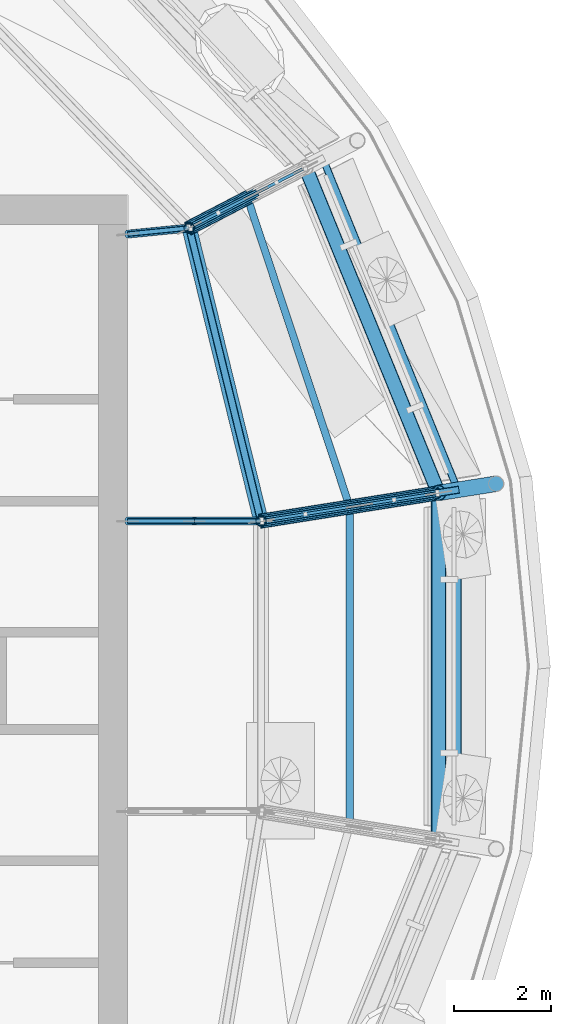
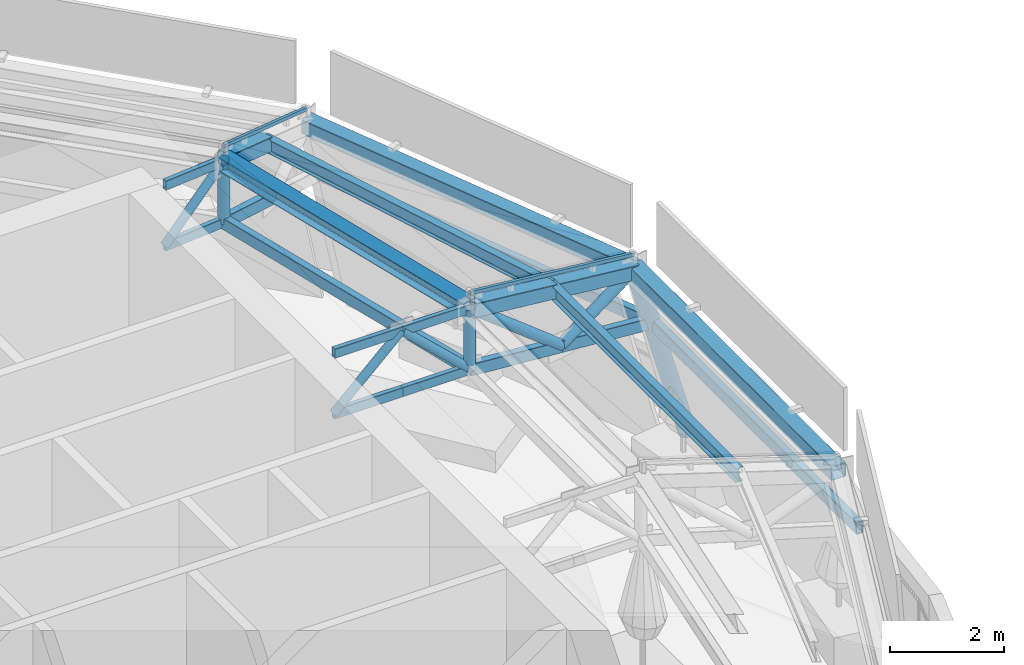
# One storey, part 11 of 40: 25 members, 6 beams, 1 element without a shape of its own.
"""IFC4 building model written with IfcOpenShell, lengths in metres."""

from ifc_helpers import new_model, si_unit, direction, frame, origin, origin_2d, place, context, subcontext, project, spatial, rectangle, hollow_rectangle, hollow_circle, i_section, extrude, material, material_profile, profile_set, type_object, element, aggregate, save


model = new_model("IFC4")

# Units and contexts
model_context = context("Model", 3, precision=1e-05, world=origin(), true_north=direction((0.0, 1.0)))
body_context = subcontext(model_context, "Body", "Model", "MODEL_VIEW")
ifc_project = project(units=[si_unit("LENGTHUNIT", "METRE"), si_unit("AREAUNIT", "SQUARE_METRE"), si_unit("VOLUMEUNIT", "CUBIC_METRE"), si_unit("PLANEANGLEUNIT", "RADIAN"), si_unit("MASSUNIT", "GRAM", prefix="KILO")], contexts=[model_context])

# Site, building, storey
site_placement = place(None, origin())
site = spatial("IfcSite", under=ifc_project, at=site_placement, CompositionType="ELEMENT")
building_placement = place(site_placement, origin())
building = spatial("IfcBuilding", under=site, at=building_placement, Name="Taillehof Tower", CompositionType="ELEMENT")
storey_placement = place(building_placement, frame((0.0, 0.0, 275.199951171875)))
storey = spatial("IfcBuildingStorey", under=building, at=storey_placement, Name="L77", CompositionType="ELEMENT", Elevation=275.199951171875)

# Beam
ifc_material_1 = material(Name="Steel S460M", Category="steel")
ifc_material_profile_1 = material_profile(ifc_material_1, i_section(OverallWidth=0.300048828125, OverallDepth=0.2900390625, WebThickness=0.008544921875, FlangeThickness=0.013916015625, FilletRadius=0.027099609375, at=origin_2d()), Name="HEA 300")
ifc_profile_set_1 = profile_set([ifc_material_profile_1], Name="Steel S460M")
beam_type_1 = type_object("IfcBeamType", Name="Canopy apex ring beam HEA 300", PredefinedType="BEAM", material=ifc_profile_set_1)
beam_1_placement = place(storey_placement, frame((18.7451171875, 3.291259765625, 5.10009765625), z_axis=(-0.237836199248, 0.971305277617, 0.0), x_axis=(-0.971305277617, -0.237836199248, 0.0)))
element("IfcBeam", 1, at=beam_1_placement, inside=storey, type_object=beam_type_1, Name="Canopy ring beam CR19", PredefinedType="BEAM", context=body_context, shape_type="SweptSolid", body=[
    extrude(i_section(OverallWidth=0.300048828125, OverallDepth=0.2900390625, WebThickness=0.008544921875, FlangeThickness=0.013916015625, FilletRadius=0.027099609375, at=origin_2d()), origin(), (0.0, 0.0, 1.0), 6.21337890625),
])

# Curtain wall, members
ifc_material_2 = material(Name="Aluminium glazing bars with clear laminated safety glass", Category="aluminium")
curtain_wall_type = type_object("IfcCurtainWallType", Name="Canopy glazing", PredefinedType="NOTDEFINED", material=ifc_material_2)
curtain_wall_placement = place(storey_placement, origin())
curtain_wall = element("IfcCurtainWall", 2, at=curtain_wall_placement, inside=storey, type_object=curtain_wall_type, Name="Canopy glazing 1", PredefinedType="NOTDEFINED")
ifc_material_3 = material(Name="Aluminium glazing bar", Category="aluminium")
ifc_material_profile_2 = material_profile(ifc_material_3, rectangle(XDim=0.06005859375, YDim=0.070068359375, at=origin_2d()), Name="AL 60x70")
ifc_profile_set_2 = profile_set([ifc_material_profile_2], Name="Aluminium glazing bar")
member_type_1 = type_object("IfcMemberType", Name="Canopy glazing bar 60x70", PredefinedType="USERDEFINED", material=ifc_profile_set_2)
member_1_placement = place(storey_placement, frame((22.39892578125, 3.87109375, 4.61767578125), z_axis=(-0.965316857347, -0.153253564951, 0.211368658394), x_axis=(0.156796152949, -0.987630986968, 0.0)))
member_1 = element("IfcMember", 3, at=member_1_placement, type_object=member_type_1, Name="Canopy glazing bar 1", ObjectType="TRANSOM", PredefinedType="USERDEFINED", context=body_context, shape_type="SweptSolid", body=[
    extrude(rectangle(XDim=0.06005859375, YDim=0.070068359375, at=origin_2d()), origin(), (0.0, 0.0, 1.0), 3.78515625),
])
member_2_placement = place(storey_placement, frame((19.6630859375, 10.572021484375, 4.61767578125), z_axis=(-0.850648753875, -0.442399759505, 0.284040754682), x_axis=(0.461403970393, -0.887190157805, 0.0)))
member_2 = element("IfcMember", 4, at=member_2_placement, type_object=member_type_1, Name="Canopy glazing bar 2", ObjectType="TRANSOM", PredefinedType="USERDEFINED", context=body_context, shape_type="SweptSolid", body=[
    extrude(rectangle(XDim=0.06005859375, YDim=0.070068359375, at=origin_2d()), origin(), (0.0, 0.0, 1.0), 2.816650390625),
])
aggregate(curtain_wall, [member_1, member_2])

# Members
ifc_material_4 = material(Name="Steel S460M", Category="steel")
ifc_material_profile_3 = material_profile(ifc_material_4, hollow_circle(Radius=0.109619140625, WallThickness=0.012451171875, at=origin_2d()), Name="CHS 219.1x12.5")
ifc_profile_set_3 = profile_set([ifc_material_profile_3], Name="Steel S460M")
member_type_2 = type_object("IfcMemberType", Name="Canopy inner ring post CHS 219.1x12.5", PredefinedType="POST", material=ifc_profile_set_3)
for number, where, z_axis, x_axis, name in (
    (5, (18.7451171875, 3.291259765625, 3.800048828125), (0.0, 0.0, 1.0), (1.0, 0.0, 0.0), "Canopy ring post RP01"),
    (6, (17.267333984375, 9.326416015625, 3.800048828125), (0.0, 0.0, 1.0), (1.0, 0.0, 0.0), "Canopy ring post RP02"),
):
    element("IfcMember", number, at=place(storey_placement, frame(where, z_axis=z_axis, x_axis=x_axis)), inside=storey, type_object=member_type_2, Name=name, PredefinedType="POST", context=body_context, shape_type="SweptSolid", body=[
        extrude(hollow_circle(Radius=0.109619140625, WallThickness=0.012451171875, at=origin_2d()), origin(), (0.0, 0.0, 1.0), 1.300048828125),
    ])

# Beams
ifc_material_5 = material(Name="Steel S460M", Category="steel")
ifc_material_profile_4 = material_profile(ifc_material_5, hollow_rectangle(XDim=0.14990234375, YDim=0.25, WallThickness=0.010009765625, InnerFilletRadius=0.010009765625, OuterFilletRadius=0.014892578125, at=origin_2d()), Name="RHS 250x150x10")
ifc_profile_set_4 = profile_set([ifc_material_profile_4], Name="Steel S460M")
beam_type_2 = type_object("IfcBeamType", Name="Canopy lower ring beam RHS 250x150x10", PredefinedType="BEAM", material=ifc_profile_set_4)
beam_2_placement = place(storey_placement, frame((22.79443359375, 3.93408203125, 3.0), z_axis=(-0.376950452726, 0.926233424246, 0.0), x_axis=(-0.926233424246, -0.376950452726, 0.0)))
element("IfcBeam", 7, at=beam_2_placement, inside=storey, type_object=beam_type_2, Name="Canopy lower ring beam CB01", PredefinedType="BEAM", context=body_context, shape_type="SweptSolid", body=[
    extrude(hollow_rectangle(XDim=0.14990234375, YDim=0.25, WallThickness=0.010009765625, InnerFilletRadius=0.010009765625, OuterFilletRadius=0.014892578125, at=origin_2d()), origin(), (0.0, 0.0, 1.0), 7.365234375),
])
beam_3_placement = place(storey_placement, frame((22.79443359375, -3.333984375, 3.0), z_axis=(0.0, 1.0, 0.0), x_axis=(-1.0, 0.0, 0.0)))
element("IfcBeam", 8, at=beam_3_placement, inside=storey, type_object=beam_type_2, Name="Canopy lower ring beam CB18", PredefinedType="BEAM", context=body_context, shape_type="SweptSolid", body=[
    extrude(hollow_rectangle(XDim=0.14990234375, YDim=0.25, WallThickness=0.010009765625, InnerFilletRadius=0.010009765625, OuterFilletRadius=0.014892578125, at=origin_2d()), origin(), (0.0, 0.0, 1.0), 7.26806640625),
])
beam_4_placement = place(storey_placement, frame((18.7451171875, 3.291259765625, 3.800048828125), z_axis=(-0.237836199248, 0.971305277617, 0.0), x_axis=(-0.971305277617, -0.237836199248, 0.0)))
element("IfcBeam", 9, at=beam_4_placement, inside=storey, type_object=beam_type_2, Name="Canopy lower ring beam CB19", PredefinedType="BEAM", context=body_context, shape_type="SweptSolid", body=[
    extrude(hollow_rectangle(XDim=0.14990234375, YDim=0.25, WallThickness=0.010009765625, InnerFilletRadius=0.010009765625, OuterFilletRadius=0.014892578125, at=origin_2d()), origin(), (0.0, 0.0, 1.0), 6.21337890625),
])

# Members
ifc_material_6 = material(Name="Steel S460M", Category="steel")
ifc_material_profile_5 = material_profile(ifc_material_6, i_section(OverallWidth=0.14990234375, OverallDepth=0.300048828125, WebThickness=0.007080078125, FlangeThickness=0.0107421875, FilletRadius=0.014892578125, at=origin_2d()), Name="IPE 300")
ifc_profile_set_5 = profile_set([ifc_material_profile_5], Name="Steel S460M")
member_type_3 = type_object("IfcMemberType", Name="Canopy purlin IPE 300", PredefinedType="PURLIN", material=ifc_profile_set_5)
member_3_placement = place(storey_placement, frame((20.572021484375, 3.5810546875, 4.699951171875), z_axis=(-0.314119509532, 0.949383449261, 0.0), x_axis=(-0.949383449261, -0.314119509532, 0.0)))
element("IfcMember", 10, at=member_3_placement, inside=storey, type_object=member_type_3, Name="Canopy purlin CP01", PredefinedType="PURLIN", context=body_context, shape_type="SweptSolid", body=[
    extrude(i_section(OverallWidth=0.14990234375, OverallDepth=0.300048828125, WebThickness=0.007080078125, FlangeThickness=0.0107421875, FilletRadius=0.014892578125, at=origin_2d()), origin(), (0.0, 0.0, 1.0), 6.70751953125),
])
member_4_placement = place(storey_placement, frame((20.572021484375, -2.98095703125, 4.699951171875), z_axis=(0.0, 1.0, 0.0), x_axis=(-1.0, 0.0, 0.0)))
element("IfcMember", 11, at=member_4_placement, inside=storey, type_object=member_type_3, Name="Canopy purlin CP18", PredefinedType="PURLIN", context=body_context, shape_type="SweptSolid", body=[
    extrude(i_section(OverallWidth=0.14990234375, OverallDepth=0.300048828125, WebThickness=0.007080078125, FlangeThickness=0.0107421875, FilletRadius=0.014892578125, at=origin_2d()), origin(), (0.0, 0.0, 1.0), 6.56201171875),
])
ifc_material_7 = material(Name="Steel S460M", Category="steel")
ifc_material_profile_6 = material_profile(ifc_material_7, hollow_rectangle(XDim=0.300048828125, YDim=0.300048828125, WallThickness=0.012451171875, InnerFilletRadius=0.012451171875, OuterFilletRadius=0.018798828125, at=origin_2d()), Name="RHS 300x300x12.5")
ifc_profile_set_6 = profile_set([ifc_material_profile_6], Name="Steel S460M")
member_type_4 = type_object("IfcMemberType", Name="Canopy rafter RHS 300x300x12.5", PredefinedType="RAFTER", material=ifc_profile_set_6)
for number, where, z_axis, x_axis, name in (
    (12, (22.3994140625, 3.871337890625, 4.300048828125), (-0.965338804541, -0.153236571325, 0.21128072713), (0.156775717077, -0.987634231148, 0.0), "Canopy rafter 01 top chord 1"),
    (13, (20.572265625, 3.581298828125, 4.699951171875), (-0.96531248972, -0.153232394146, 0.211403951183), (0.156775717077, -0.987634231148, 0.0), "Canopy rafter 01 top chord 2"),
):
    element("IfcMember", number, at=place(storey_placement, frame(where, z_axis=z_axis, x_axis=x_axis)), inside=storey, type_object=member_type_4, Name=name, PredefinedType="RAFTER", context=body_context, shape_type="SweptSolid", body=[
        extrude(hollow_rectangle(XDim=0.300048828125, YDim=0.300048828125, WallThickness=0.012451171875, InnerFilletRadius=0.012451171875, OuterFilletRadius=0.018798828125, at=origin_2d()), origin(), (0.0, 0.0, 1.0), 1.892822265625),
    ])
member_5_placement = place(storey_placement, frame((18.46533203125, 9.948974609375, 4.699951171875), z_axis=(-0.850758253491, -0.442109954433, 0.284164006006), x_axis=(0.461119280033, -0.887338159656, 0.0)))
element("IfcMember", 14, at=member_5_placement, inside=storey, type_object=member_type_4, Name="Canopy rafter 02 top chord 2", PredefinedType="RAFTER", context=body_context, shape_type="SweptSolid", body=[
    extrude(hollow_rectangle(XDim=0.300048828125, YDim=0.300048828125, WallThickness=0.012451171875, InnerFilletRadius=0.012451171875, OuterFilletRadius=0.018798828125, at=origin_2d()), origin(), (0.0, 0.0, 1.0), 1.408203125),
])
ifc_material_8 = material(Name="Steel S460M", Category="steel")
ifc_material_profile_7 = material_profile(ifc_material_8, hollow_rectangle(XDim=0.14990234375, YDim=0.25, WallThickness=0.010009765625, InnerFilletRadius=0.010009765625, OuterFilletRadius=0.014892578125, at=origin_2d()), Name="RHS 250x150x10")
ifc_profile_set_7 = profile_set([ifc_material_profile_7], Name="Steel S460M")
member_type_5 = type_object("IfcMemberType", Name="Canopy rafter bottom chord RHS 250x150x10", PredefinedType="CHORD", material=ifc_profile_set_7)
for number, where, z_axis, x_axis, name in (
    (15, (22.79443359375, 3.93408203125, 3.0), (-0.969348139201, -0.153823966139, 0.1915786326), (0.156726977954, -0.987641966697, 0.0), "Canopy rafter 01 bottom chord 1"),
    (16, (20.769775390625, 3.61279296875, 3.400146484375), (-0.969352403766, -0.153941530901, 0.191462587407), (0.156843142816, -0.987623525718, 0.0), "Canopy rafter 01 bottom chord 2"),
):
    element("IfcMember", number, at=place(storey_placement, frame(where, z_axis=z_axis, x_axis=x_axis)), inside=storey, type_object=member_type_5, Name=name, PredefinedType="CHORD", context=body_context, shape_type="SweptSolid", body=[
        extrude(hollow_rectangle(XDim=0.14990234375, YDim=0.25, WallThickness=0.010009765625, InnerFilletRadius=0.010009765625, OuterFilletRadius=0.014892578125, at=origin_2d()), origin(), (0.0, 0.0, 1.0), 2.088623046875),
    ])
member_6_placement = place(storey_placement, frame((18.642822265625, 10.041259765625, 3.400146484375), z_axis=(-0.859195088449, -0.446525242985, 0.249797933063), x_axis=(0.461144450097, -0.887325079182, 0.0)))
element("IfcMember", 17, at=member_6_placement, inside=storey, type_object=member_type_5, Name="Canopy rafter 02 bottom chord 2", PredefinedType="CHORD", context=body_context, shape_type="SweptSolid", body=[
    extrude(hollow_rectangle(XDim=0.14990234375, YDim=0.25, WallThickness=0.010009765625, InnerFilletRadius=0.010009765625, OuterFilletRadius=0.014892578125, at=origin_2d()), origin(), (0.0, 0.0, 1.0), 1.600830078125),
])
ifc_material_9 = material(Name="Steel S460M", Category="steel")
ifc_material_profile_8 = material_profile(ifc_material_9, hollow_circle(Radius=0.109619140625, WallThickness=0.012451171875, at=origin_2d()), Name="CHS 219.1x12.5")
ifc_profile_set_8 = profile_set([ifc_material_profile_8], Name="Steel S460M")
member_type_6 = type_object("IfcMemberType", Name="Canopy rafter diagonal CHS 219.1x12.5", PredefinedType="BRACE", material=ifc_profile_set_8)
member_7_placement = place(storey_placement, frame((22.3994140625, 3.871337890625, 4.300048828125), z_axis=(-0.867075433284, -0.137562978854, -0.478807497691), x_axis=(0.156691944488, -0.987647525453, 0.0)))
element("IfcMember", 18, at=member_7_placement, inside=storey, type_object=member_type_6, Name="Canopy rafter 01 diagonal 1", PredefinedType="BRACE", context=body_context, shape_type="SweptSolid", body=[
    extrude(hollow_circle(Radius=0.109619140625, WallThickness=0.012451171875, at=origin_2d()), origin(), (0.0, 0.0, 1.0), 1.87939453125),
])
member_8_placement = place(storey_placement, frame((20.769775390625, 3.61279296875, 3.400146484375), z_axis=(-0.760244554417, -0.120733399031, 0.638319405813), x_axis=(0.156843142816, -0.987623525718, 0.0)))
element("IfcMember", 19, at=member_8_placement, inside=storey, type_object=member_type_6, Name="Canopy rafter 01 diagonal 2", PredefinedType="BRACE", context=body_context, shape_type="SweptSolid", body=[
    extrude(hollow_circle(Radius=0.109619140625, WallThickness=0.012451171875, at=origin_2d()), origin(), (0.0, 0.0, 1.0), 2.6630859375),
])
member_9_placement = place(storey_placement, frame((18.642822265625, 10.041259765625, 3.400146484375), z_axis=(-0.597879972414, -0.310719304087, 0.738913427036), x_axis=(0.461144450097, -0.887325079182, 0.0)))
element("IfcMember", 20, at=member_9_placement, inside=storey, type_object=member_type_6, Name="Canopy rafter 02 diagonal 2", PredefinedType="BRACE", context=body_context, shape_type="SweptSolid", body=[
    extrude(hollow_circle(Radius=0.109619140625, WallThickness=0.012451171875, at=origin_2d()), origin(), (0.0, 0.0, 1.0), 2.300537109375),
])
ifc_material_10 = material(Name="Steel S460M", Category="steel")
ifc_material_profile_9 = material_profile(ifc_material_10, hollow_circle(Radius=0.161865234375, WallThickness=0.01611328125, at=origin_2d()), Name="CHS 323.9x16")
ifc_profile_set_9 = profile_set([ifc_material_profile_9], Name="Steel S460M")
member_type_7 = type_object("IfcMemberType", Name="Canopy raking column CHS 323.9x16", PredefinedType="POST", material=ifc_profile_set_9)
member_10_placement = place(storey_placement, frame((23.584716796875, 4.0595703125, 0.300048828125), z_axis=(-0.2838254853, -0.045073007037, 0.957816014656), x_axis=(0.156839984557, -0.987624027272, 0.0)))
element("IfcMember", 21, at=member_10_placement, inside=storey, type_object=member_type_7, Name="Canopy raking column CC01", PredefinedType="POST", context=body_context, shape_type="SweptSolid", body=[
    extrude(hollow_circle(Radius=0.161865234375, WallThickness=0.01611328125, at=origin_2d()), origin(), (0.0, 0.0, 1.0), 4.17626953125),
])

# Beams
ifc_material_11 = material(Name="Steel S460M", Category="steel")
ifc_material_profile_10 = material_profile(ifc_material_11, hollow_rectangle(XDim=0.300048828125, YDim=0.300048828125, WallThickness=0.012451171875, InnerFilletRadius=0.012451171875, OuterFilletRadius=0.018798828125, at=origin_2d()), Name="RHS 300x300x12.5")
ifc_profile_set_10 = profile_set([ifc_material_profile_10], Name="Steel S460M")
beam_type_3 = type_object("IfcBeamType", Name="Canopy ring beam RHS 300x300x12.5", PredefinedType="BEAM", material=ifc_profile_set_10)
beam_5_placement = place(storey_placement, frame((22.3994140625, 3.871337890625, 4.300048828125), z_axis=(-0.378081107179, 0.925772475501, 0.0), x_axis=(-0.925772475501, -0.378081107179, 0.0)))
element("IfcBeam", 22, at=beam_5_placement, inside=storey, type_object=beam_type_3, Name="Canopy ring beam CR01", PredefinedType="BEAM", context=body_context, shape_type="SweptSolid", body=[
    extrude(hollow_rectangle(XDim=0.300048828125, YDim=0.300048828125, WallThickness=0.012451171875, InnerFilletRadius=0.012451171875, OuterFilletRadius=0.018798828125, at=origin_2d()), origin(), (0.0, 0.0, 1.0), 7.2373046875),
])
beam_6_placement = place(storey_placement, frame((22.3994140625, -3.271240234375, 4.300048828125), z_axis=(0.0, 1.0, 0.0), x_axis=(-1.0, 0.0, 0.0)))
element("IfcBeam", 23, at=beam_6_placement, inside=storey, type_object=beam_type_3, Name="Canopy ring beam CR18", PredefinedType="BEAM", context=body_context, shape_type="SweptSolid", body=[
    extrude(hollow_rectangle(XDim=0.300048828125, YDim=0.300048828125, WallThickness=0.012451171875, InnerFilletRadius=0.012451171875, OuterFilletRadius=0.018798828125, at=origin_2d()), origin(), (0.0, 0.0, 1.0), 7.142578125),
])

# Members
ifc_material_12 = material(Name="Steel S460M", Category="steel")
ifc_material_profile_11 = material_profile(ifc_material_12, hollow_rectangle(XDim=0.10009765625, YDim=0.199951171875, WallThickness=0.008056640625, InnerFilletRadius=0.008056640625, OuterFilletRadius=0.011962890625, at=origin_2d()), Name="RHS 200x100x8")
ifc_profile_set_11 = profile_set([ifc_material_profile_11], Name="Steel S460M")
member_type_8 = type_object("IfcMemberType", Name="Canopy spur chord RHS 200x100x8", PredefinedType="CHORD", material=ifc_profile_set_11)
for number, where, z_axis, x_axis, name in (
    (24, (18.7451171875, 3.291259765625, 5.10009765625), (-1.0, 0.0, 0.0), (0.0, -1.0, 0.0), "Canopy rafter S01 top chord 1"),
    (25, (18.7451171875, 3.291259765625, 3.800048828125), (-1.0, 0.0, 0.0), (0.0, -1.0, 0.0), "Canopy rafter S01 bottom chord 1"),
    (26, (17.37255859375, 3.291259765625, 5.10009765625), (-1.0, 0.0, 0.0), (0.0, -1.0, 0.0), "Canopy rafter S01 top chord 2"),
    (27, (17.37255859375, 3.291259765625, 3.800048828125), (-1.0, 0.0, 0.0), (0.0, -1.0, 0.0), "Canopy rafter S01 bottom chord 2"),
):
    element("IfcMember", number, at=place(storey_placement, frame(where, z_axis=z_axis, x_axis=x_axis)), inside=storey, type_object=member_type_8, Name=name, PredefinedType="CHORD", context=body_context, shape_type="SweptSolid", body=[
        extrude(hollow_rectangle(XDim=0.10009765625, YDim=0.199951171875, WallThickness=0.008056640625, InnerFilletRadius=0.008056640625, OuterFilletRadius=0.011962890625, at=origin_2d()), origin(), (0.0, 0.0, 1.0), 1.37255859375),
    ])
for number, where, z_axis, x_axis, name in (
    (28, (17.267333984375, 9.326416015625, 5.10009765625), (-0.995058045338, -0.099294946539, 0.0), (0.099294946539, -0.995058045338, 0.0), "Canopy rafter S02 top chord 1"),
    (29, (17.267333984375, 9.326416015625, 3.800048828125), (-0.995058045338, -0.099294946539, 0.0), (0.099294946539, -0.995058045338, 0.0), "Canopy rafter S02 bottom chord 1"),
):
    element("IfcMember", number, at=place(storey_placement, frame(where, z_axis=z_axis, x_axis=x_axis)), inside=storey, type_object=member_type_8, Name=name, PredefinedType="CHORD", context=body_context, shape_type="SweptSolid", body=[
        extrude(hollow_rectangle(XDim=0.10009765625, YDim=0.199951171875, WallThickness=0.008056640625, InnerFilletRadius=0.008056640625, OuterFilletRadius=0.011962890625, at=origin_2d()), origin(), (0.0, 0.0, 1.0), 1.273681640625),
    ])
ifc_material_13 = material(Name="Steel S460M", Category="steel")
ifc_material_profile_12 = material_profile(ifc_material_13, hollow_circle(Radius=0.084228515625, WallThickness=0.008056640625, at=origin_2d()), Name="CHS 168.3x8")
ifc_profile_set_12 = profile_set([ifc_material_profile_12], Name="Steel S460M")
member_type_9 = type_object("IfcMemberType", Name="Canopy spur diagonal CHS 168.3x8", PredefinedType="BRACE", material=ifc_profile_set_12)
for number, where, z_axis, x_axis, name in (
    (30, (18.7451171875, 3.291259765625, 3.800048828125), (-0.726023942554, 0.0, 0.687669422643), (0.0, -1.0, 0.0), "Canopy rafter S01 diagonal 1"),
    (31, (17.37255859375, 3.291259765625, 5.10009765625), (-0.726023942554, 0.0, -0.687669422643), (0.0, -1.0, 0.0), "Canopy rafter S01 diagonal 2"),
):
    element("IfcMember", number, at=place(storey_placement, frame(where, z_axis=z_axis, x_axis=x_axis)), inside=storey, type_object=member_type_9, Name=name, PredefinedType="BRACE", context=body_context, shape_type="SweptSolid", body=[
        extrude(hollow_circle(Radius=0.084228515625, WallThickness=0.008056640625, at=origin_2d()), origin(), (0.0, 0.0, 1.0), 1.890625),
    ])
member_11_placement = place(storey_placement, frame((17.267333984375, 9.326416015625, 5.10009765625), z_axis=(-0.696352517799, -0.069487691046, -0.714328098109), x_axis=(0.099294946539, -0.995058045338, 0.0)))
element("IfcMember", 32, at=member_11_placement, inside=storey, type_object=member_type_9, Name="Canopy rafter S02 diagonal 1", PredefinedType="BRACE", context=body_context, shape_type="SweptSolid", body=[
    extrude(hollow_circle(Radius=0.084228515625, WallThickness=0.008056640625, at=origin_2d()), origin(), (0.0, 0.0, 1.0), 1.820068359375),
])

save(model, "model.ifc")
